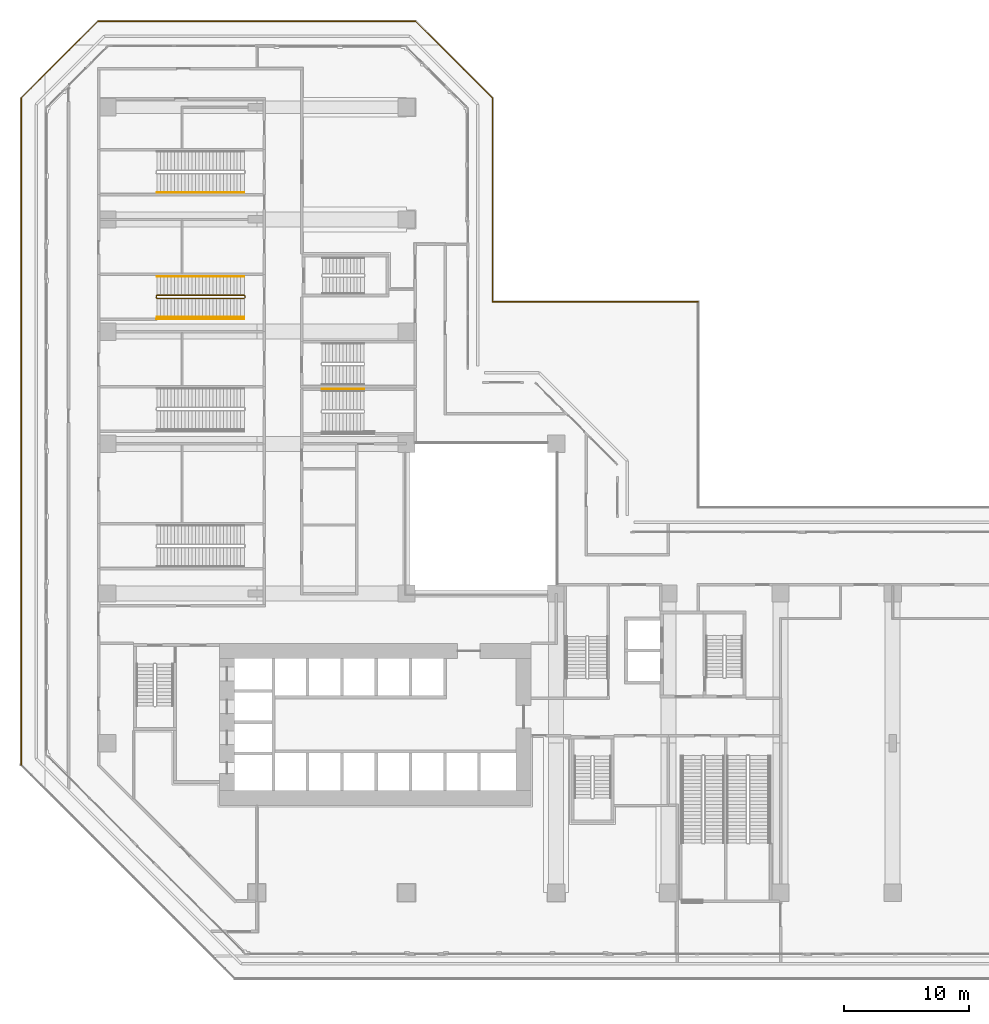
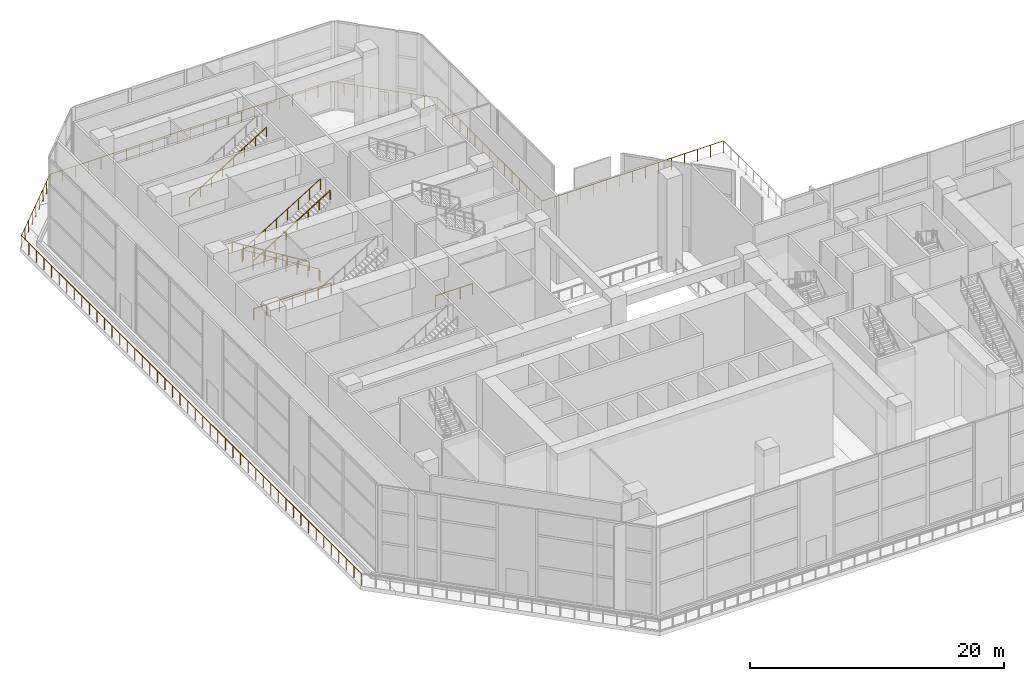
# One storey, part 26 of 28: 7 railings.
"""IFC4 building model written with IfcOpenShell, lengths in metres."""

from ifc_helpers import new_model, si_unit, direction, frame, origin, origin_2d, place, context, subcontext, project, spatial, rectangle, extrude, material, type_object, element, save


model = new_model("IFC4")

# Units and contexts
model_context = context("Model", 3, precision=1e-05, world=origin(), true_north=direction((0.0, 1.0)))
body_context = subcontext(model_context, "Body", "Model", "MODEL_VIEW")
ifc_project = project(units=[si_unit("LENGTHUNIT", "METRE"), si_unit("AREAUNIT", "SQUARE_METRE"), si_unit("VOLUMEUNIT", "CUBIC_METRE"), si_unit("PLANEANGLEUNIT", "RADIAN"), si_unit("MASSUNIT", "GRAM", prefix="KILO")], contexts=[model_context])

# Site, building, storey
site_placement = place(None, origin())
site = spatial("IfcSite", under=ifc_project, at=site_placement, CompositionType="ELEMENT")
building_placement = place(site_placement, origin())
building = spatial("IfcBuilding", under=site, at=building_placement, Name="Chenar Terraces", CompositionType="ELEMENT")
storey_placement = place(building_placement, frame((0.0, 0.0, 26.39990234375)))
storey = spatial("IfcBuildingStorey", under=building, at=storey_placement, Name="L05", CompositionType="ELEMENT", Elevation=26.39990234375)

# Railings
ifc_material_1 = material(Name="Powder-coated steel", Category="steel")
railing_type_1 = type_object("IfcRailingType", Name="Stair guard 1100", PredefinedType="GUARDRAIL", material=ifc_material_1)
railing_1_placement = place(storey_placement, frame((10.985107421875, 47.675048828125, 9.0)))
element("IfcRailing", 1, at=railing_1_placement, inside=storey, type_object=railing_type_1, Name="L05 PS4 stair guard 1", PredefinedType="GUARDRAIL", context=body_context, shape_type="SweptSolid", body=[
    extrude(rectangle(XDim=0.048095703125, YDim=0.048095703125, at=origin_2d()), frame((0.0, 0.0, 1.076171875), z_axis=(-0.850614592968, 0.0, -0.525789705328), x_axis=(0.0, -1.0, 0.0)), (0.0, 0.0, 1.0), 8.229248046875),
    extrude(rectangle(XDim=0.048095703125, YDim=0.048095703125, at=origin_2d()), frame((-7.0, 0.0, -3.2509765625), z_axis=(-0.267629722418, 0.267629722418, -0.925607186314), x_axis=(-0.707106781187, -0.707106781187, 0.0)), (0.0, 0.0, 1.0), 0.18701171875),
    extrude(rectangle(XDim=0.048095703125, YDim=0.048095703125, at=origin_2d()), frame((-7.050048828125, 0.050048828125, -3.423828125), z_axis=(0.0, 1.0, 0.0), x_axis=(-1.0, 0.0, 0.0)), (0.0, 0.0, 1.0), 0.14990234375),
    extrude(rectangle(XDim=0.048095703125, YDim=0.048095703125, at=origin_2d()), frame((-7.050048828125, 0.199951171875, -3.423828125), z_axis=(0.707106781187, 0.707106781187, 0.0), x_axis=(-0.707106781187, 0.707106781187, 0.0)), (0.0, 0.0, 1.0), 0.07080078125),
    extrude(rectangle(XDim=0.048095703125, YDim=0.048095703125, at=origin_2d()), frame((-7.0, 0.25, -3.423828125), z_axis=(0.850614592968, 0.0, -0.525789705328), x_axis=(0.0, 1.0, 0.0)), (0.0, 0.0, 1.0), 8.229248046875),
    extrude(rectangle(XDim=0.048095703125, YDim=0.048095703125, at=origin_2d()), frame((0.0, 0.25, -7.7509765625), z_axis=(0.266417085129, -0.267723051232, -0.925929967433), x_axis=(0.708833529934, 0.705375805398, 0.0)), (0.0, 0.0, 1.0), 0.18701171875),
    extrude(rectangle(XDim=0.048095703125, YDim=0.048095703125, at=origin_2d()), frame((0.0498046875, 0.199951171875, -7.923828125), z_axis=(0.0, -1.0, 0.0), x_axis=(1.0, 0.0, 0.0)), (0.0, 0.0, 1.0), 0.14990234375),
    extrude(rectangle(XDim=0.0419921875, YDim=0.0419921875, at=origin_2d()), origin(), (0.0, 0.0, 1.0), 1.052001953125),
    extrude(rectangle(XDim=0.0419921875, YDim=0.0419921875, at=origin_2d()), frame((-1.0, 0.0, -0.6181640625)), (0.0, 0.0, 1.0), 1.052001953125),
    extrude(rectangle(XDim=0.0419921875, YDim=0.0419921875, at=origin_2d()), frame((-2.0, 0.0, -1.236328125)), (0.0, 0.0, 1.0), 1.052001953125),
    extrude(rectangle(XDim=0.0419921875, YDim=0.0419921875, at=origin_2d()), frame((-3.0, 0.0, -1.8544921875)), (0.0, 0.0, 1.0), 1.052001953125),
    extrude(rectangle(XDim=0.0419921875, YDim=0.0419921875, at=origin_2d()), frame((-4.0, 0.0, -2.472412109375)), (0.0, 0.0, 1.0), 1.052001953125),
    extrude(rectangle(XDim=0.0419921875, YDim=0.0419921875, at=origin_2d()), frame((-5.0, 0.0, -3.090576171875)), (0.0, 0.0, 1.0), 1.052001953125),
    extrude(rectangle(XDim=0.0419921875, YDim=0.0419921875, at=origin_2d()), frame((-6.0, 0.0, -3.708740234375)), (0.0, 0.0, 1.0), 1.052001953125),
    extrude(rectangle(XDim=0.0419921875, YDim=0.0419921875, at=origin_2d()), frame((-7.0, 0.0, -4.326904296875)), (0.0, 0.0, 1.0), 1.052001953125),
    extrude(rectangle(XDim=0.0419921875, YDim=0.0419921875, at=origin_2d()), frame((-7.050048828125, 0.050048828125, -4.5)), (0.0, 0.0, 1.0), 1.052001953125),
    extrude(rectangle(XDim=0.0419921875, YDim=0.0419921875, at=origin_2d()), frame((-7.050048828125, 0.199951171875, -4.5)), (0.0, 0.0, 1.0), 1.052001953125),
    extrude(rectangle(XDim=0.0419921875, YDim=0.0419921875, at=origin_2d()), frame((-7.0, 0.25, -4.5)), (0.0, 0.0, 1.0), 1.052001953125),
    extrude(rectangle(XDim=0.0419921875, YDim=0.0419921875, at=origin_2d()), frame((-6.0, 0.25, -5.1181640625)), (0.0, 0.0, 1.0), 1.052001953125),
    extrude(rectangle(XDim=0.0419921875, YDim=0.0419921875, at=origin_2d()), frame((-5.0, 0.25, -5.736328125)), (0.0, 0.0, 1.0), 1.052001953125),
    extrude(rectangle(XDim=0.0419921875, YDim=0.0419921875, at=origin_2d()), frame((-4.0, 0.25, -6.3544921875)), (0.0, 0.0, 1.0), 1.052001953125),
    extrude(rectangle(XDim=0.0419921875, YDim=0.0419921875, at=origin_2d()), frame((-3.0, 0.25, -6.972412109375)), (0.0, 0.0, 1.0), 1.052001953125),
    extrude(rectangle(XDim=0.0419921875, YDim=0.0419921875, at=origin_2d()), frame((-2.0, 0.25, -7.590576171875)), (0.0, 0.0, 1.0), 1.052001953125),
    extrude(rectangle(XDim=0.0419921875, YDim=0.0419921875, at=origin_2d()), frame((-1.0, 0.25, -8.208740234375)), (0.0, 0.0, 1.0), 1.052001953125),
    extrude(rectangle(XDim=0.0419921875, YDim=0.0419921875, at=origin_2d()), frame((0.0, 0.25, -8.826904296875)), (0.0, 0.0, 1.0), 1.052001953125),
    extrude(rectangle(XDim=0.0419921875, YDim=0.0419921875, at=origin_2d()), frame((0.0498046875, 0.199951171875, -9.0)), (0.0, 0.0, 1.0), 1.052001953125),
    extrude(rectangle(XDim=0.0419921875, YDim=0.0419921875, at=origin_2d()), frame((0.0498046875, 0.050048828125, -9.0)), (0.0, 0.0, 1.0), 1.052001953125),
])
railing_2_placement = place(storey_placement, frame((3.964111328125, 46.010009765625, 0.0)))
element("IfcRailing", 2, at=railing_2_placement, inside=storey, type_object=railing_type_1, Name="L05 PS4 stair guard 101", PredefinedType="GUARDRAIL", context=body_context, shape_type="SweptSolid", body=[
    extrude(rectangle(XDim=0.048095703125, YDim=0.048095703125, at=origin_2d()), frame((0.0, 0.0, 1.076171875), z_axis=(1.0, 0.0, 0.0), x_axis=(0.0, 1.0, 0.0)), (0.0, 0.0, 1.0), 7.02099609375),
    extrude(rectangle(XDim=0.0419921875, YDim=0.0419921875, at=origin_2d()), origin(), (0.0, 0.0, 1.0), 1.052001953125),
    extrude(rectangle(XDim=0.0419921875, YDim=0.0419921875, at=origin_2d()), frame((1.170166015625, 0.0, 0.0)), (0.0, 0.0, 1.0), 1.052001953125),
    extrude(rectangle(XDim=0.0419921875, YDim=0.0419921875, at=origin_2d()), frame((2.34033203125, 0.0, 0.0)), (0.0, 0.0, 1.0), 1.052001953125),
    extrude(rectangle(XDim=0.0419921875, YDim=0.0419921875, at=origin_2d()), frame((3.510498046875, 0.0, 0.0)), (0.0, 0.0, 1.0), 1.052001953125),
    extrude(rectangle(XDim=0.0419921875, YDim=0.0419921875, at=origin_2d()), frame((4.6806640625, 0.0, 0.0)), (0.0, 0.0, 1.0), 1.052001953125),
    extrude(rectangle(XDim=0.0419921875, YDim=0.0419921875, at=origin_2d()), frame((5.850830078125, 0.0, 0.0)), (0.0, 0.0, 1.0), 1.052001953125),
    extrude(rectangle(XDim=0.0419921875, YDim=0.0419921875, at=origin_2d()), frame((7.02099609375, 0.0, 0.0)), (0.0, 0.0, 1.0), 1.052001953125),
])
railing_3_placement = place(storey_placement, frame((20.58056640625, 40.389892578125, 0.0)))
element("IfcRailing", 3, at=railing_3_placement, inside=storey, type_object=railing_type_1, Name="L05 PS7 stair guard 102", PredefinedType="GUARDRAIL", context=body_context, shape_type="SweptSolid", body=[
    extrude(rectangle(XDim=0.048095703125, YDim=0.048095703125, at=origin_2d()), frame((0.0, 0.0, 1.076171875), z_axis=(-1.0, 0.0, 0.0), x_axis=(0.0, -1.0, 0.0)), (0.0, 0.0, 1.0), 3.365478515625),
    extrude(rectangle(XDim=0.0419921875, YDim=0.0419921875, at=origin_2d()), origin(), (0.0, 0.0, 1.0), 1.052001953125),
    extrude(rectangle(XDim=0.0419921875, YDim=0.0419921875, at=origin_2d()), frame((-1.121826171875, 0.0, 0.0)), (0.0, 0.0, 1.0), 1.052001953125),
    extrude(rectangle(XDim=0.0419921875, YDim=0.0419921875, at=origin_2d()), frame((-2.24365234375, 0.0, 0.0)), (0.0, 0.0, 1.0), 1.052001953125),
    extrude(rectangle(XDim=0.0419921875, YDim=0.0419921875, at=origin_2d()), frame((-3.365478515625, 0.0, 0.0)), (0.0, 0.0, 1.0), 1.052001953125),
])
ifc_material_2 = material(Name="Powder-coated steel", Category="steel")
railing_type_2 = type_object("IfcRailingType", Name="Stair handrail 900", PredefinedType="HANDRAIL", material=ifc_material_2)
railing_4_placement = place(storey_placement, frame((3.985107421875, 56.159912109375, 4.673095703125)))
element("IfcRailing", 4, at=railing_4_placement, inside=storey, type_object=railing_type_2, Name="L05 PS3 stair handrail 2", PredefinedType="HANDRAIL", context=body_context, shape_type="SweptSolid", body=[
    extrude(rectangle(XDim=0.048095703125, YDim=0.048095703125, at=origin_2d()), frame((0.0, 0.0, 0.8759765625), z_axis=(0.850614592968, 0.0, 0.525789705328), x_axis=(0.0, 1.0, 0.0)), (0.0, 0.0, 1.0), 8.229248046875),
    extrude(rectangle(XDim=0.0419921875, YDim=0.0419921875, at=origin_2d()), origin(), (0.0, 0.0, 1.0), 0.851806640625),
    extrude(rectangle(XDim=0.0419921875, YDim=0.0419921875, at=origin_2d()), frame((1.0, 0.0, 0.6181640625)), (0.0, 0.0, 1.0), 0.851806640625),
    extrude(rectangle(XDim=0.0419921875, YDim=0.0419921875, at=origin_2d()), frame((2.0, 0.0, 1.236328125)), (0.0, 0.0, 1.0), 0.851806640625),
    extrude(rectangle(XDim=0.0419921875, YDim=0.0419921875, at=origin_2d()), frame((3.0, 0.0, 1.8544921875)), (0.0, 0.0, 1.0), 0.851806640625),
    extrude(rectangle(XDim=0.0419921875, YDim=0.0419921875, at=origin_2d()), frame((4.0, 0.0, 2.472412109375)), (0.0, 0.0, 1.0), 0.851806640625),
    extrude(rectangle(XDim=0.0419921875, YDim=0.0419921875, at=origin_2d()), frame((5.0, 0.0, 3.090576171875)), (0.0, 0.0, 1.0), 0.851806640625),
    extrude(rectangle(XDim=0.0419921875, YDim=0.0419921875, at=origin_2d()), frame((6.0, 0.0, 3.708740234375)), (0.0, 0.0, 1.0), 0.851806640625),
    extrude(rectangle(XDim=0.0419921875, YDim=0.0419921875, at=origin_2d()), frame((7.0, 0.0, 4.326904296875)), (0.0, 0.0, 1.0), 0.851806640625),
])
railing_5_placement = place(storey_placement, frame((10.985107421875, 49.43994140625, 0.173095703125)))
element("IfcRailing", 5, at=railing_5_placement, inside=storey, type_object=railing_type_2, Name="L05 PS4 stair handrail 1", PredefinedType="HANDRAIL", context=body_context, shape_type="SweptSolid", body=[
    extrude(rectangle(XDim=0.048095703125, YDim=0.048095703125, at=origin_2d()), frame((0.0, 0.0, 0.8759765625), z_axis=(-0.850614592968, 0.0, 0.525789705328), x_axis=(0.0, -1.0, 0.0)), (0.0, 0.0, 1.0), 8.229248046875),
    extrude(rectangle(XDim=0.0419921875, YDim=0.0419921875, at=origin_2d()), origin(), (0.0, 0.0, 1.0), 0.851806640625),
    extrude(rectangle(XDim=0.0419921875, YDim=0.0419921875, at=origin_2d()), frame((-1.0, 0.0, 0.6181640625)), (0.0, 0.0, 1.0), 0.851806640625),
    extrude(rectangle(XDim=0.0419921875, YDim=0.0419921875, at=origin_2d()), frame((-2.0, 0.0, 1.236328125)), (0.0, 0.0, 1.0), 0.851806640625),
    extrude(rectangle(XDim=0.0419921875, YDim=0.0419921875, at=origin_2d()), frame((-3.0, 0.0, 1.8544921875)), (0.0, 0.0, 1.0), 0.851806640625),
    extrude(rectangle(XDim=0.0419921875, YDim=0.0419921875, at=origin_2d()), frame((-4.0, 0.0, 2.472412109375)), (0.0, 0.0, 1.0), 0.851806640625),
    extrude(rectangle(XDim=0.0419921875, YDim=0.0419921875, at=origin_2d()), frame((-5.0, 0.0, 3.090576171875)), (0.0, 0.0, 1.0), 0.851806640625),
    extrude(rectangle(XDim=0.0419921875, YDim=0.0419921875, at=origin_2d()), frame((-6.0, 0.0, 3.708740234375)), (0.0, 0.0, 1.0), 0.851806640625),
    extrude(rectangle(XDim=0.0419921875, YDim=0.0419921875, at=origin_2d()), frame((-7.0, 0.0, 4.326904296875)), (0.0, 0.0, 1.0), 0.851806640625),
])
railing_6_placement = place(storey_placement, frame((3.985107421875, 46.159912109375, 4.673095703125)))
element("IfcRailing", 6, at=railing_6_placement, inside=storey, type_object=railing_type_2, Name="L05 PS4 stair handrail 2", PredefinedType="HANDRAIL", context=body_context, shape_type="SweptSolid", body=[
    extrude(rectangle(XDim=0.048095703125, YDim=0.048095703125, at=origin_2d()), frame((0.0, 0.0, 0.8759765625), z_axis=(0.850614592968, 0.0, 0.525789705328), x_axis=(0.0, 1.0, 0.0)), (0.0, 0.0, 1.0), 8.229248046875),
    extrude(rectangle(XDim=0.0419921875, YDim=0.0419921875, at=origin_2d()), origin(), (0.0, 0.0, 1.0), 0.851806640625),
    extrude(rectangle(XDim=0.0419921875, YDim=0.0419921875, at=origin_2d()), frame((1.0, 0.0, 0.6181640625)), (0.0, 0.0, 1.0), 0.851806640625),
    extrude(rectangle(XDim=0.0419921875, YDim=0.0419921875, at=origin_2d()), frame((2.0, 0.0, 1.236328125)), (0.0, 0.0, 1.0), 0.851806640625),
    extrude(rectangle(XDim=0.0419921875, YDim=0.0419921875, at=origin_2d()), frame((3.0, 0.0, 1.8544921875)), (0.0, 0.0, 1.0), 0.851806640625),
    extrude(rectangle(XDim=0.0419921875, YDim=0.0419921875, at=origin_2d()), frame((4.0, 0.0, 2.472412109375)), (0.0, 0.0, 1.0), 0.851806640625),
    extrude(rectangle(XDim=0.0419921875, YDim=0.0419921875, at=origin_2d()), frame((5.0, 0.0, 3.090576171875)), (0.0, 0.0, 1.0), 0.851806640625),
    extrude(rectangle(XDim=0.0419921875, YDim=0.0419921875, at=origin_2d()), frame((6.0, 0.0, 3.708740234375)), (0.0, 0.0, 1.0), 0.851806640625),
    extrude(rectangle(XDim=0.0419921875, YDim=0.0419921875, at=origin_2d()), frame((7.0, 0.0, 4.326904296875)), (0.0, 0.0, 1.0), 0.851806640625),
])
ifc_material_3 = material(Name="Stainless steel and glass", Category="steel")
railing_type_3 = type_object("IfcRailingType", Name="Terrace guard 1150", PredefinedType="GUARDRAIL", material=ifc_material_3)
railing_7_placement = place(storey_placement, frame((-6.89990234375, 10.26318359375, 0.0)))
element("IfcRailing", 7, at=railing_7_placement, inside=storey, type_object=railing_type_3, Name="Terrace guard", PredefinedType="GUARDRAIL", context=body_context, shape_type="SweptSolid", body=[
    extrude(rectangle(XDim=0.048095703125, YDim=0.048095703125, at=origin_2d()), frame((0.0, 0.0, 1.1259765625), z_axis=(0.0, 1.0, 0.0), x_axis=(-1.0, 0.0, 0.0)), (0.0, 0.0, 1.0), 53.4736328125),
    extrude(rectangle(XDim=0.048095703125, YDim=0.048095703125, at=origin_2d()), frame((0.0, 53.4736328125, 1.1259765625), z_axis=(0.707106781187, 0.707106781187, 0.0), x_axis=(-0.707106781187, 0.707106781187, 0.0)), (0.0, 0.0, 1.0), 8.7158203125),
    extrude(rectangle(XDim=0.048095703125, YDim=0.048095703125, at=origin_2d()), frame((6.1630859375, 59.63671875, 1.1259765625), z_axis=(1.0, 0.0, 0.0), x_axis=(0.0, 1.0, 0.0)), (0.0, 0.0, 1.0), 25.4736328125),
    extrude(rectangle(XDim=0.048095703125, YDim=0.048095703125, at=origin_2d()), frame((31.63671875, 59.63671875, 1.1259765625), z_axis=(0.707106781187, -0.707106781187, 0.0), x_axis=(0.707106781187, 0.707106781187, 0.0)), (0.0, 0.0, 1.0), 8.7158203125),
    extrude(rectangle(XDim=0.048095703125, YDim=0.048095703125, at=origin_2d()), frame((37.7998046875, 53.4736328125, 1.1259765625), z_axis=(0.0, -1.0, 0.0), x_axis=(1.0, 0.0, 0.0)), (0.0, 0.0, 1.0), 16.3369140625),
    extrude(rectangle(XDim=0.048095703125, YDim=0.048095703125, at=origin_2d()), frame((37.7998046875, 37.13671875, 1.1259765625), z_axis=(1.0, 0.0, 0.0), x_axis=(0.0, 1.0, 0.0)), (0.0, 0.0, 1.0), 16.5),
    extrude(rectangle(XDim=0.0419921875, YDim=0.0419921875, at=origin_2d()), origin(), (0.0, 0.0, 1.0), 1.101806640625),
    extrude(rectangle(XDim=0.0419921875, YDim=0.0419921875, at=origin_2d()), frame((0.0, 1.188232421875, 0.0)), (0.0, 0.0, 1.0), 1.101806640625),
    extrude(rectangle(XDim=0.0419921875, YDim=0.0419921875, at=origin_2d()), frame((0.0, 2.376708984375, 0.0)), (0.0, 0.0, 1.0), 1.101806640625),
    extrude(rectangle(XDim=0.0419921875, YDim=0.0419921875, at=origin_2d()), frame((0.0, 3.56494140625, 0.0)), (0.0, 0.0, 1.0), 1.101806640625),
    extrude(rectangle(XDim=0.0419921875, YDim=0.0419921875, at=origin_2d()), frame((0.0, 4.753173828125, 0.0)), (0.0, 0.0, 1.0), 1.101806640625),
    extrude(rectangle(XDim=0.0419921875, YDim=0.0419921875, at=origin_2d()), frame((0.0, 5.94140625, 0.0)), (0.0, 0.0, 1.0), 1.101806640625),
    extrude(rectangle(XDim=0.0419921875, YDim=0.0419921875, at=origin_2d()), frame((0.0, 7.1298828125, 0.0)), (0.0, 0.0, 1.0), 1.101806640625),
    extrude(rectangle(XDim=0.0419921875, YDim=0.0419921875, at=origin_2d()), frame((0.0, 8.318115234375, 0.0)), (0.0, 0.0, 1.0), 1.101806640625),
    extrude(rectangle(XDim=0.0419921875, YDim=0.0419921875, at=origin_2d()), frame((0.0, 9.50634765625, 0.0)), (0.0, 0.0, 1.0), 1.101806640625),
    extrude(rectangle(XDim=0.0419921875, YDim=0.0419921875, at=origin_2d()), frame((0.0, 10.69482421875, 0.0)), (0.0, 0.0, 1.0), 1.101806640625),
    extrude(rectangle(XDim=0.0419921875, YDim=0.0419921875, at=origin_2d()), frame((0.0, 11.883056640625, 0.0)), (0.0, 0.0, 1.0), 1.101806640625),
    extrude(rectangle(XDim=0.0419921875, YDim=0.0419921875, at=origin_2d()), frame((0.0, 13.0712890625, 0.0)), (0.0, 0.0, 1.0), 1.101806640625),
    extrude(rectangle(XDim=0.0419921875, YDim=0.0419921875, at=origin_2d()), frame((0.0, 14.259521484375, 0.0)), (0.0, 0.0, 1.0), 1.101806640625),
    extrude(rectangle(XDim=0.0419921875, YDim=0.0419921875, at=origin_2d()), frame((0.0, 15.447998046875, 0.0)), (0.0, 0.0, 1.0), 1.101806640625),
    extrude(rectangle(XDim=0.0419921875, YDim=0.0419921875, at=origin_2d()), frame((0.0, 16.63623046875, 0.0)), (0.0, 0.0, 1.0), 1.101806640625),
    extrude(rectangle(XDim=0.0419921875, YDim=0.0419921875, at=origin_2d()), frame((0.0, 17.824462890625, 0.0)), (0.0, 0.0, 1.0), 1.101806640625),
    extrude(rectangle(XDim=0.0419921875, YDim=0.0419921875, at=origin_2d()), frame((0.0, 19.012939453125, 0.0)), (0.0, 0.0, 1.0), 1.101806640625),
    extrude(rectangle(XDim=0.0419921875, YDim=0.0419921875, at=origin_2d()), frame((0.0, 20.201171875, 0.0)), (0.0, 0.0, 1.0), 1.101806640625),
    extrude(rectangle(XDim=0.0419921875, YDim=0.0419921875, at=origin_2d()), frame((0.0, 21.389404296875, 0.0)), (0.0, 0.0, 1.0), 1.101806640625),
    extrude(rectangle(XDim=0.0419921875, YDim=0.0419921875, at=origin_2d()), frame((0.0, 22.57763671875, 0.0)), (0.0, 0.0, 1.0), 1.101806640625),
    extrude(rectangle(XDim=0.0419921875, YDim=0.0419921875, at=origin_2d()), frame((0.0, 23.76611328125, 0.0)), (0.0, 0.0, 1.0), 1.101806640625),
    extrude(rectangle(XDim=0.0419921875, YDim=0.0419921875, at=origin_2d()), frame((0.0, 24.954345703125, 0.0)), (0.0, 0.0, 1.0), 1.101806640625),
    extrude(rectangle(XDim=0.0419921875, YDim=0.0419921875, at=origin_2d()), frame((0.0, 26.142578125, 0.0)), (0.0, 0.0, 1.0), 1.101806640625),
    extrude(rectangle(XDim=0.0419921875, YDim=0.0419921875, at=origin_2d()), frame((0.0, 27.3310546875, 0.0)), (0.0, 0.0, 1.0), 1.101806640625),
    extrude(rectangle(XDim=0.0419921875, YDim=0.0419921875, at=origin_2d()), frame((0.0, 28.519287109375, 0.0)), (0.0, 0.0, 1.0), 1.101806640625),
    extrude(rectangle(XDim=0.0419921875, YDim=0.0419921875, at=origin_2d()), frame((0.0, 29.70751953125, 0.0)), (0.0, 0.0, 1.0), 1.101806640625),
    extrude(rectangle(XDim=0.0419921875, YDim=0.0419921875, at=origin_2d()), frame((0.0, 30.89599609375, 0.0)), (0.0, 0.0, 1.0), 1.101806640625),
    extrude(rectangle(XDim=0.0419921875, YDim=0.0419921875, at=origin_2d()), frame((0.0, 32.084228515625, 0.0)), (0.0, 0.0, 1.0), 1.101806640625),
    extrude(rectangle(XDim=0.0419921875, YDim=0.0419921875, at=origin_2d()), frame((0.0, 33.2724609375, 0.0)), (0.0, 0.0, 1.0), 1.101806640625),
    extrude(rectangle(XDim=0.0419921875, YDim=0.0419921875, at=origin_2d()), frame((0.0, 34.460693359375, 0.0)), (0.0, 0.0, 1.0), 1.101806640625),
    extrude(rectangle(XDim=0.0419921875, YDim=0.0419921875, at=origin_2d()), frame((0.0, 35.649169921875, 0.0)), (0.0, 0.0, 1.0), 1.101806640625),
    extrude(rectangle(XDim=0.0419921875, YDim=0.0419921875, at=origin_2d()), frame((0.0, 36.83740234375, 0.0)), (0.0, 0.0, 1.0), 1.101806640625),
    extrude(rectangle(XDim=0.0419921875, YDim=0.0419921875, at=origin_2d()), frame((0.0, 38.025634765625, 0.0)), (0.0, 0.0, 1.0), 1.101806640625),
    extrude(rectangle(XDim=0.0419921875, YDim=0.0419921875, at=origin_2d()), frame((0.0, 39.214111328125, 0.0)), (0.0, 0.0, 1.0), 1.101806640625),
    extrude(rectangle(XDim=0.0419921875, YDim=0.0419921875, at=origin_2d()), frame((0.0, 40.40234375, 0.0)), (0.0, 0.0, 1.0), 1.101806640625),
    extrude(rectangle(XDim=0.0419921875, YDim=0.0419921875, at=origin_2d()), frame((0.0, 41.590576171875, 0.0)), (0.0, 0.0, 1.0), 1.101806640625),
    extrude(rectangle(XDim=0.0419921875, YDim=0.0419921875, at=origin_2d()), frame((0.0, 42.77880859375, 0.0)), (0.0, 0.0, 1.0), 1.101806640625),
    extrude(rectangle(XDim=0.0419921875, YDim=0.0419921875, at=origin_2d()), frame((0.0, 43.96728515625, 0.0)), (0.0, 0.0, 1.0), 1.101806640625),
    extrude(rectangle(XDim=0.0419921875, YDim=0.0419921875, at=origin_2d()), frame((0.0, 45.155517578125, 0.0)), (0.0, 0.0, 1.0), 1.101806640625),
    extrude(rectangle(XDim=0.0419921875, YDim=0.0419921875, at=origin_2d()), frame((0.0, 46.34375, 0.0)), (0.0, 0.0, 1.0), 1.101806640625),
    extrude(rectangle(XDim=0.0419921875, YDim=0.0419921875, at=origin_2d()), frame((0.0, 47.5322265625, 0.0)), (0.0, 0.0, 1.0), 1.101806640625),
    extrude(rectangle(XDim=0.0419921875, YDim=0.0419921875, at=origin_2d()), frame((0.0, 48.720458984375, 0.0)), (0.0, 0.0, 1.0), 1.101806640625),
    extrude(rectangle(XDim=0.0419921875, YDim=0.0419921875, at=origin_2d()), frame((0.0, 49.90869140625, 0.0)), (0.0, 0.0, 1.0), 1.101806640625),
    extrude(rectangle(XDim=0.0419921875, YDim=0.0419921875, at=origin_2d()), frame((0.0, 51.096923828125, 0.0)), (0.0, 0.0, 1.0), 1.101806640625),
    extrude(rectangle(XDim=0.0419921875, YDim=0.0419921875, at=origin_2d()), frame((0.0, 52.285400390625, 0.0)), (0.0, 0.0, 1.0), 1.101806640625),
    extrude(rectangle(XDim=0.0419921875, YDim=0.0419921875, at=origin_2d()), frame((0.0, 53.4736328125, 0.0)), (0.0, 0.0, 1.0), 1.101806640625),
    extrude(rectangle(XDim=0.0419921875, YDim=0.0419921875, at=origin_2d()), frame((0.7705078125, 54.244140625, 0.0)), (0.0, 0.0, 1.0), 1.101806640625),
    extrude(rectangle(XDim=0.0419921875, YDim=0.0419921875, at=origin_2d()), frame((1.540771484375, 55.014404296875, 0.0)), (0.0, 0.0, 1.0), 1.101806640625),
    extrude(rectangle(XDim=0.0419921875, YDim=0.0419921875, at=origin_2d()), frame((2.31103515625, 55.78466796875, 0.0)), (0.0, 0.0, 1.0), 1.101806640625),
    extrude(rectangle(XDim=0.0419921875, YDim=0.0419921875, at=origin_2d()), frame((3.08154296875, 56.55517578125, 0.0)), (0.0, 0.0, 1.0), 1.101806640625),
    extrude(rectangle(XDim=0.0419921875, YDim=0.0419921875, at=origin_2d()), frame((3.85205078125, 57.32568359375, 0.0)), (0.0, 0.0, 1.0), 1.101806640625),
    extrude(rectangle(XDim=0.0419921875, YDim=0.0419921875, at=origin_2d()), frame((4.622314453125, 58.095947265625, 0.0)), (0.0, 0.0, 1.0), 1.101806640625),
    extrude(rectangle(XDim=0.0419921875, YDim=0.0419921875, at=origin_2d()), frame((5.392578125, 58.8662109375, 0.0)), (0.0, 0.0, 1.0), 1.101806640625),
    extrude(rectangle(XDim=0.0419921875, YDim=0.0419921875, at=origin_2d()), frame((6.1630859375, 59.63671875, 0.0)), (0.0, 0.0, 1.0), 1.101806640625),
    extrude(rectangle(XDim=0.0419921875, YDim=0.0419921875, at=origin_2d()), frame((7.321044921875, 59.63671875, 0.0)), (0.0, 0.0, 1.0), 1.101806640625),
    extrude(rectangle(XDim=0.0419921875, YDim=0.0419921875, at=origin_2d()), frame((8.478759765625, 59.63671875, 0.0)), (0.0, 0.0, 1.0), 1.101806640625),
    extrude(rectangle(XDim=0.0419921875, YDim=0.0419921875, at=origin_2d()), frame((9.63671875, 59.63671875, 0.0)), (0.0, 0.0, 1.0), 1.101806640625),
    extrude(rectangle(XDim=0.0419921875, YDim=0.0419921875, at=origin_2d()), frame((10.794677734375, 59.63671875, 0.0)), (0.0, 0.0, 1.0), 1.101806640625),
    extrude(rectangle(XDim=0.0419921875, YDim=0.0419921875, at=origin_2d()), frame((11.95263671875, 59.63671875, 0.0)), (0.0, 0.0, 1.0), 1.101806640625),
    extrude(rectangle(XDim=0.0419921875, YDim=0.0419921875, at=origin_2d()), frame((13.1103515625, 59.63671875, 0.0)), (0.0, 0.0, 1.0), 1.101806640625),
    extrude(rectangle(XDim=0.0419921875, YDim=0.0419921875, at=origin_2d()), frame((14.268310546875, 59.63671875, 0.0)), (0.0, 0.0, 1.0), 1.101806640625),
    extrude(rectangle(XDim=0.0419921875, YDim=0.0419921875, at=origin_2d()), frame((15.42626953125, 59.63671875, 0.0)), (0.0, 0.0, 1.0), 1.101806640625),
    extrude(rectangle(XDim=0.0419921875, YDim=0.0419921875, at=origin_2d()), frame((16.584228515625, 59.63671875, 0.0)), (0.0, 0.0, 1.0), 1.101806640625),
    extrude(rectangle(XDim=0.0419921875, YDim=0.0419921875, at=origin_2d()), frame((17.741943359375, 59.63671875, 0.0)), (0.0, 0.0, 1.0), 1.101806640625),
    extrude(rectangle(XDim=0.0419921875, YDim=0.0419921875, at=origin_2d()), frame((18.89990234375, 59.63671875, 0.0)), (0.0, 0.0, 1.0), 1.101806640625),
    extrude(rectangle(XDim=0.0419921875, YDim=0.0419921875, at=origin_2d()), frame((20.057861328125, 59.63671875, 0.0)), (0.0, 0.0, 1.0), 1.101806640625),
    extrude(rectangle(XDim=0.0419921875, YDim=0.0419921875, at=origin_2d()), frame((21.215576171875, 59.63671875, 0.0)), (0.0, 0.0, 1.0), 1.101806640625),
    extrude(rectangle(XDim=0.0419921875, YDim=0.0419921875, at=origin_2d()), frame((22.37353515625, 59.63671875, 0.0)), (0.0, 0.0, 1.0), 1.101806640625),
    extrude(rectangle(XDim=0.0419921875, YDim=0.0419921875, at=origin_2d()), frame((23.531494140625, 59.63671875, 0.0)), (0.0, 0.0, 1.0), 1.101806640625),
    extrude(rectangle(XDim=0.0419921875, YDim=0.0419921875, at=origin_2d()), frame((24.689453125, 59.63671875, 0.0)), (0.0, 0.0, 1.0), 1.101806640625),
    extrude(rectangle(XDim=0.0419921875, YDim=0.0419921875, at=origin_2d()), frame((25.84716796875, 59.63671875, 0.0)), (0.0, 0.0, 1.0), 1.101806640625),
    extrude(rectangle(XDim=0.0419921875, YDim=0.0419921875, at=origin_2d()), frame((27.005126953125, 59.63671875, 0.0)), (0.0, 0.0, 1.0), 1.101806640625),
    extrude(rectangle(XDim=0.0419921875, YDim=0.0419921875, at=origin_2d()), frame((28.1630859375, 59.63671875, 0.0)), (0.0, 0.0, 1.0), 1.101806640625),
    extrude(rectangle(XDim=0.0419921875, YDim=0.0419921875, at=origin_2d()), frame((29.321044921875, 59.63671875, 0.0)), (0.0, 0.0, 1.0), 1.101806640625),
    extrude(rectangle(XDim=0.0419921875, YDim=0.0419921875, at=origin_2d()), frame((30.478759765625, 59.63671875, 0.0)), (0.0, 0.0, 1.0), 1.101806640625),
    extrude(rectangle(XDim=0.0419921875, YDim=0.0419921875, at=origin_2d()), frame((31.63671875, 59.63671875, 0.0)), (0.0, 0.0, 1.0), 1.101806640625),
    extrude(rectangle(XDim=0.0419921875, YDim=0.0419921875, at=origin_2d()), frame((32.4072265625, 58.8662109375, 0.0)), (0.0, 0.0, 1.0), 1.101806640625),
    extrude(rectangle(XDim=0.0419921875, YDim=0.0419921875, at=origin_2d()), frame((33.177490234375, 58.095947265625, 0.0)), (0.0, 0.0, 1.0), 1.101806640625),
    extrude(rectangle(XDim=0.0419921875, YDim=0.0419921875, at=origin_2d()), frame((33.94775390625, 57.32568359375, 0.0)), (0.0, 0.0, 1.0), 1.101806640625),
    extrude(rectangle(XDim=0.0419921875, YDim=0.0419921875, at=origin_2d()), frame((34.71826171875, 56.55517578125, 0.0)), (0.0, 0.0, 1.0), 1.101806640625),
    extrude(rectangle(XDim=0.0419921875, YDim=0.0419921875, at=origin_2d()), frame((35.48876953125, 55.78466796875, 0.0)), (0.0, 0.0, 1.0), 1.101806640625),
    extrude(rectangle(XDim=0.0419921875, YDim=0.0419921875, at=origin_2d()), frame((36.259033203125, 55.014404296875, 0.0)), (0.0, 0.0, 1.0), 1.101806640625),
    extrude(rectangle(XDim=0.0419921875, YDim=0.0419921875, at=origin_2d()), frame((37.029296875, 54.244140625, 0.0)), (0.0, 0.0, 1.0), 1.101806640625),
    extrude(rectangle(XDim=0.0419921875, YDim=0.0419921875, at=origin_2d()), frame((37.7998046875, 53.4736328125, 0.0)), (0.0, 0.0, 1.0), 1.101806640625),
    extrude(rectangle(XDim=0.0419921875, YDim=0.0419921875, at=origin_2d()), frame((37.7998046875, 52.306640625, 0.0)), (0.0, 0.0, 1.0), 1.101806640625),
    extrude(rectangle(XDim=0.0419921875, YDim=0.0419921875, at=origin_2d()), frame((37.7998046875, 51.139892578125, 0.0)), (0.0, 0.0, 1.0), 1.101806640625),
    extrude(rectangle(XDim=0.0419921875, YDim=0.0419921875, at=origin_2d()), frame((37.7998046875, 49.972900390625, 0.0)), (0.0, 0.0, 1.0), 1.101806640625),
    extrude(rectangle(XDim=0.0419921875, YDim=0.0419921875, at=origin_2d()), frame((37.7998046875, 48.805908203125, 0.0)), (0.0, 0.0, 1.0), 1.101806640625),
    extrude(rectangle(XDim=0.0419921875, YDim=0.0419921875, at=origin_2d()), frame((37.7998046875, 47.638916015625, 0.0)), (0.0, 0.0, 1.0), 1.101806640625),
    extrude(rectangle(XDim=0.0419921875, YDim=0.0419921875, at=origin_2d()), frame((37.7998046875, 46.47216796875, 0.0)), (0.0, 0.0, 1.0), 1.101806640625),
    extrude(rectangle(XDim=0.0419921875, YDim=0.0419921875, at=origin_2d()), frame((37.7998046875, 45.30517578125, 0.0)), (0.0, 0.0, 1.0), 1.101806640625),
    extrude(rectangle(XDim=0.0419921875, YDim=0.0419921875, at=origin_2d()), frame((37.7998046875, 44.13818359375, 0.0)), (0.0, 0.0, 1.0), 1.101806640625),
    extrude(rectangle(XDim=0.0419921875, YDim=0.0419921875, at=origin_2d()), frame((37.7998046875, 42.971435546875, 0.0)), (0.0, 0.0, 1.0), 1.101806640625),
    extrude(rectangle(XDim=0.0419921875, YDim=0.0419921875, at=origin_2d()), frame((37.7998046875, 41.804443359375, 0.0)), (0.0, 0.0, 1.0), 1.101806640625),
    extrude(rectangle(XDim=0.0419921875, YDim=0.0419921875, at=origin_2d()), frame((37.7998046875, 40.637451171875, 0.0)), (0.0, 0.0, 1.0), 1.101806640625),
    extrude(rectangle(XDim=0.0419921875, YDim=0.0419921875, at=origin_2d()), frame((37.7998046875, 39.470458984375, 0.0)), (0.0, 0.0, 1.0), 1.101806640625),
    extrude(rectangle(XDim=0.0419921875, YDim=0.0419921875, at=origin_2d()), frame((37.7998046875, 38.3037109375, 0.0)), (0.0, 0.0, 1.0), 1.101806640625),
    extrude(rectangle(XDim=0.0419921875, YDim=0.0419921875, at=origin_2d()), frame((37.7998046875, 37.13671875, 0.0)), (0.0, 0.0, 1.0), 1.101806640625),
    extrude(rectangle(XDim=0.0419921875, YDim=0.0419921875, at=origin_2d()), frame((38.978271484375, 37.13671875, 0.0)), (0.0, 0.0, 1.0), 1.101806640625),
    extrude(rectangle(XDim=0.0419921875, YDim=0.0419921875, at=origin_2d()), frame((40.156982421875, 37.13671875, 0.0)), (0.0, 0.0, 1.0), 1.101806640625),
    extrude(rectangle(XDim=0.0419921875, YDim=0.0419921875, at=origin_2d()), frame((41.33544921875, 37.13671875, 0.0)), (0.0, 0.0, 1.0), 1.101806640625),
    extrude(rectangle(XDim=0.0419921875, YDim=0.0419921875, at=origin_2d()), frame((42.51416015625, 37.13671875, 0.0)), (0.0, 0.0, 1.0), 1.101806640625),
    extrude(rectangle(XDim=0.0419921875, YDim=0.0419921875, at=origin_2d()), frame((43.692626953125, 37.13671875, 0.0)), (0.0, 0.0, 1.0), 1.101806640625),
    extrude(rectangle(XDim=0.0419921875, YDim=0.0419921875, at=origin_2d()), frame((44.871337890625, 37.13671875, 0.0)), (0.0, 0.0, 1.0), 1.101806640625),
    extrude(rectangle(XDim=0.0419921875, YDim=0.0419921875, at=origin_2d()), frame((46.0498046875, 37.13671875, 0.0)), (0.0, 0.0, 1.0), 1.101806640625),
    extrude(rectangle(XDim=0.0419921875, YDim=0.0419921875, at=origin_2d()), frame((47.228271484375, 37.13671875, 0.0)), (0.0, 0.0, 1.0), 1.101806640625),
    extrude(rectangle(XDim=0.0419921875, YDim=0.0419921875, at=origin_2d()), frame((48.406982421875, 37.13671875, 0.0)), (0.0, 0.0, 1.0), 1.101806640625),
    extrude(rectangle(XDim=0.0419921875, YDim=0.0419921875, at=origin_2d()), frame((49.58544921875, 37.13671875, 0.0)), (0.0, 0.0, 1.0), 1.101806640625),
    extrude(rectangle(XDim=0.0419921875, YDim=0.0419921875, at=origin_2d()), frame((50.76416015625, 37.13671875, 0.0)), (0.0, 0.0, 1.0), 1.101806640625),
    extrude(rectangle(XDim=0.0419921875, YDim=0.0419921875, at=origin_2d()), frame((51.942626953125, 37.13671875, 0.0)), (0.0, 0.0, 1.0), 1.101806640625),
    extrude(rectangle(XDim=0.0419921875, YDim=0.0419921875, at=origin_2d()), frame((53.121337890625, 37.13671875, 0.0)), (0.0, 0.0, 1.0), 1.101806640625),
    extrude(rectangle(XDim=0.0419921875, YDim=0.0419921875, at=origin_2d()), frame((54.2998046875, 37.13671875, 0.0)), (0.0, 0.0, 1.0), 1.101806640625),
])

save(model, "model.ifc")
